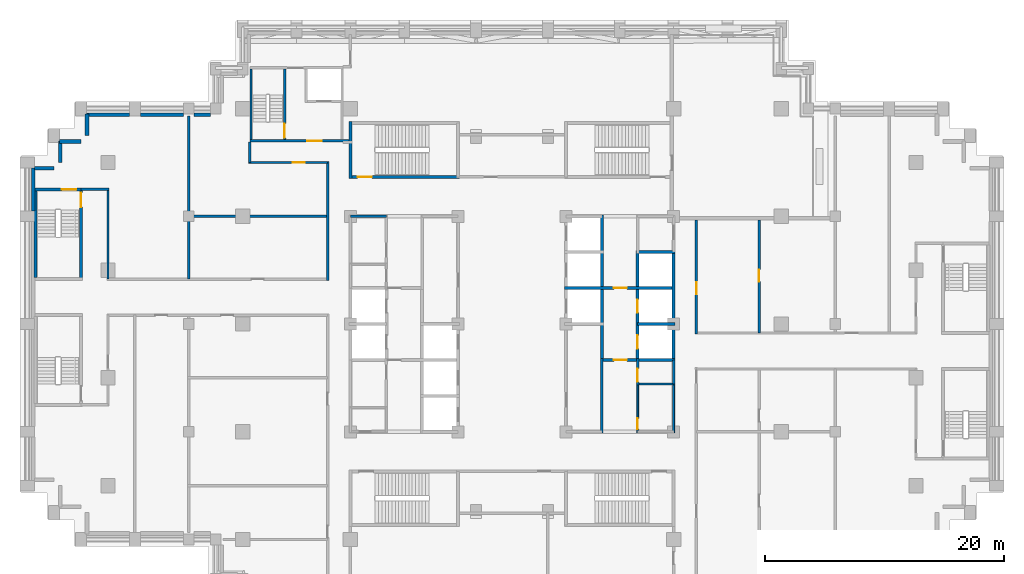
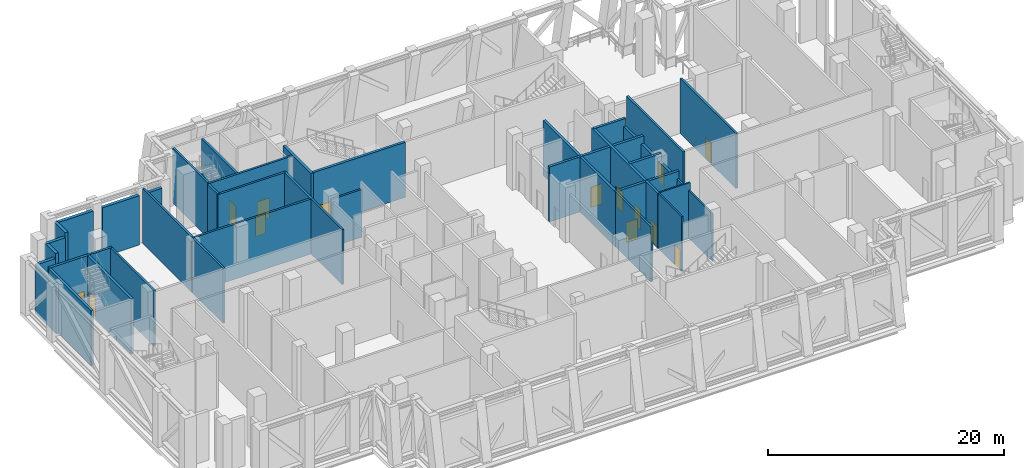
# One storey, part 7 of 14: 39 walls, 14 doors, 14 openings.
"""IFC4 building model written with IfcOpenShell, lengths in metres."""

from ifc_helpers import new_model, si_unit, direction, frame, frame_2d, origin, place, context, subcontext, project, spatial, rectangle, extrude, material, layer, layer_set, type_object, element, fill, save


model = new_model("IFC4")

# Units and contexts
model_context = context("Model", 3, precision=1e-05, world=origin(), true_north=direction((0.0, 1.0)))
body_context = subcontext(model_context, "Body", "Model", "MODEL_VIEW")
ifc_project = project(units=[si_unit("LENGTHUNIT", "METRE"), si_unit("AREAUNIT", "SQUARE_METRE"), si_unit("VOLUMEUNIT", "CUBIC_METRE"), si_unit("PLANEANGLEUNIT", "RADIAN"), si_unit("MASSUNIT", "GRAM", prefix="KILO")], contexts=[model_context])

# Site, building, storey
site_placement = place(None, origin())
site = spatial("IfcSite", under=ifc_project, at=site_placement, CompositionType="ELEMENT")
building_placement = place(site_placement, origin())
building = spatial("IfcBuilding", under=site, at=building_placement, Name="Corbelhall Arena Tower", CompositionType="ELEMENT")
storey_placement = place(building_placement, frame((0.0, 0.0, 120.0)))
storey = spatial("IfcBuildingStorey", under=building, at=storey_placement, Name="L22", CompositionType="ELEMENT", Elevation=120.0)

# Walls
ifc_material_1 = material(Name="Precast concrete C40/50 with granite facing", Category="masonry")
ifc_layer_1 = layer(ifc_material_1, 0.300048828125)
ifc_layer_set_1 = layer_set([ifc_layer_1], Name="EV-IW1 Infill panel 300")
wall_type_1 = type_object("IfcWallType", Name="EV-IW1 Infill panel 300", PredefinedType="SOLIDWALL", material=ifc_layer_set_1)
for number, where, z_axis, x_axis, name in (
    (1, (-35.5, 17.550048828125, 0.0), (0.0, 0.0, 1.0), (0.0, -1.0, 0.0), "Infill panel IW1"),
    (2, (-37.800048828125, 15.25, 0.0), (0.0, 0.0, 1.0), (1.0, 0.0, 0.0), "Infill panel IW1"),
    (3, (-37.75, 15.300048828125, 0.0), (0.0, 0.0, 1.0), (0.0, -1.0, 0.0), "Infill panel IW1"),
):
    element("IfcWall", number, at=place(storey_placement, frame(where, z_axis=z_axis, x_axis=x_axis)), inside=storey, type_object=wall_type_1, Name=name, PredefinedType="SOLIDWALL", context=body_context, shape_type="SweptSolid", body=[
        extrude(rectangle(XDim=1.800048828125, YDim=0.300048828125, at=frame_2d((0.89990234375, 0.0))), origin(), (0.0, 0.0, 1.0), 5.10009765625),
    ])
wall_1_placement = place(storey_placement, frame((-39.89990234375, 13.0, 0.0), z_axis=(0.0, 0.0, 1.0), x_axis=(1.0, 0.0, 0.0)))
element("IfcWall", 4, at=wall_1_placement, inside=storey, type_object=wall_type_1, Name="Infill panel IW1", PredefinedType="SOLIDWALL", context=body_context, shape_type="SweptSolid", body=[
    extrude(rectangle(XDim=1.64990234375, YDim=0.300048828125, at=frame_2d((0.824951171875, 0.0))), origin(), (0.0, 0.0, 1.0), 5.10009765625),
])
wall_2_placement = place(storey_placement, frame((-25.199951171875, 17.5, 0.0), z_axis=(0.0, 0.0, 1.0), x_axis=(-1.0, 0.0, 0.0)))
element("IfcWall", 5, at=wall_2_placement, inside=storey, type_object=wall_type_1, Name="Infill panel IW1", PredefinedType="SOLIDWALL", context=body_context, shape_type="SweptSolid", body=[
    extrude(rectangle(XDim=1.35009765625, YDim=0.300048828125, at=frame_2d((0.675048828125, 0.0))), origin(), (0.0, 0.0, 1.0), 5.10009765625),
])
for number, where, z_axis, x_axis, name in (
    (6, (-27.449951171875, 17.5, 0.0), (0.0, 0.0, 1.0), (-1.0, 0.0, 0.0), "Infill panel IW1"),
    (7, (-31.949951171875, 17.5, 0.0), (0.0, 0.0, 1.0), (-1.0, 0.0, 0.0), "Infill panel IW1"),
    (8, (-40.0, 13.050048828125, 0.0), (0.0, 0.0, 1.0), (0.0, -1.0, 0.0), "Infill panel IW1"),
):
    element("IfcWall", number, at=place(storey_placement, frame(where, z_axis=z_axis, x_axis=x_axis)), inside=storey, type_object=wall_type_1, Name=name, PredefinedType="SOLIDWALL", context=body_context, shape_type="SweptSolid", body=[
        extrude(rectangle(XDim=3.60009765625, YDim=0.300048828125, at=frame_2d((1.800048828125, 0.0))), origin(), (0.0, 0.0, 1.0), 5.10009765625),
    ])
ifc_material_2 = material(Name="Gypsum board on steel stud, acoustic", Category="steel")
ifc_layer_2 = layer(ifc_material_2, 0.199951171875)
ifc_layer_set_2 = layer_set([ifc_layer_2], Name="IN-W-DM200")
wall_type_2 = type_object("IfcWallType", Name="IN-W-DM200", PredefinedType="PARTITIONING", material=ifc_layer_set_2)
wall_3_placement = place(storey_placement, frame((-36.0, 11.25, 0.0), z_axis=(0.0, 0.0, 1.0), x_axis=(1.0, 0.0, 0.0)))
element("IfcWall", 9, at=wall_3_placement, inside=storey, type_object=wall_type_2, Name="Partition 001", PredefinedType="PARTITIONING", context=body_context, shape_type="SweptSolid", body=[
    extrude(rectangle(XDim=2.35009765625, YDim=0.199951171875, at=frame_2d((1.175048828125, 0.0))), origin(), (0.0, 0.0, 1.0), 5.699951171875),
])
wall_4_placement = place(storey_placement, frame((-33.75, 11.25, 0.0), z_axis=(0.0, 0.0, 1.0), x_axis=(0.0, -1.0, 0.0)))
element("IfcWall", 10, at=wall_4_placement, inside=storey, type_object=wall_type_2, Name="Partition 005", PredefinedType="PARTITIONING", context=body_context, shape_type="SweptSolid", body=[
    extrude(rectangle(XDim=7.5, YDim=0.199951171875, at=frame_2d((3.75, 0.0))), origin(), (0.0, 0.0, 1.0), 5.699951171875),
])
wall_5_placement = place(storey_placement, frame((-27.10009765625, 9.0, 0.0), z_axis=(0.0, 0.0, 1.0), x_axis=(1.0, 0.0, 0.0)))
element("IfcWall", 11, at=wall_5_placement, inside=storey, type_object=wall_type_2, Name="Partition 010", PredefinedType="PARTITIONING", context=body_context, shape_type="SweptSolid", body=[
    extrude(rectangle(XDim=11.7001953125, YDim=0.199951171875, at=frame_2d((5.85009765625, 0.0))), origin(), (0.0, 0.0, 1.0), 5.699951171875),
])
wall_6_placement = place(storey_placement, frame((-27.0, 3.75, 0.0), z_axis=(0.0, 0.0, 1.0), x_axis=(0.0, 1.0, 0.0)))
element("IfcWall", 12, at=wall_6_placement, inside=storey, type_object=wall_type_2, Name="Partition 012", PredefinedType="PARTITIONING", context=body_context, shape_type="SweptSolid", body=[
    extrude(rectangle(XDim=13.64990234375, YDim=0.199951171875, at=frame_2d((6.824951171875, 0.0))), origin(), (0.0, 0.0, 1.0), 5.699951171875),
])
wall_7_placement = place(storey_placement, frame((-21.89990234375, 13.5, 0.0), z_axis=(0.0, 0.0, 1.0), x_axis=(0.0, 1.0, 0.0)))
element("IfcWall", 13, at=wall_7_placement, inside=storey, type_object=wall_type_2, Name="Partition 014", PredefinedType="PARTITIONING", context=body_context, shape_type="SweptSolid", body=[
    extrude(rectangle(XDim=1.699951171875, YDim=0.199951171875, at=frame_2d((0.85009765625, 0.0))), origin(), (0.0, 0.0, 1.0), 5.699951171875),
])
wall_8_placement = place(storey_placement, frame((-15.39990234375, 3.64990234375, 0.0), z_axis=(0.0, 0.0, 1.0), x_axis=(0.0, 1.0, 0.0)))
element("IfcWall", 14, at=wall_8_placement, inside=storey, type_object=wall_type_2, Name="Partition 016", PredefinedType="PARTITIONING", context=body_context, shape_type="SweptSolid", body=[
    extrude(rectangle(XDim=9.9501953125, YDim=0.199951171875, at=frame_2d((4.97509765625, 0.0))), origin(), (0.0, 0.0, 1.0), 5.699951171875),
])

# Wall, opening, door
wall_9_placement = place(storey_placement, frame((-15.39990234375, 13.5, 0.0), z_axis=(0.0, 0.0, 1.0), x_axis=(-1.0, 0.0, 0.0)))
wall_9 = element("IfcWall", 15, at=wall_9_placement, inside=storey, type_object=wall_type_2, Name="Partition 017", PredefinedType="PARTITIONING", context=body_context, shape_type="SweptSolid", body=[
    extrude(rectangle(XDim=6.60009765625, YDim=0.199951171875, at=frame_2d((3.300048828125, 0.0))), origin(), (0.0, 0.0, 1.0), 5.699951171875),
])
opening_1_placement = place(wall_9_placement, frame((1.89990234375, 0.0, 0.0)))
opening_1 = element("IfcOpeningElement", 16, at=opening_1_placement, cuts=wall_9, Name="Opening 26028", PredefinedType="OPENING", context=body_context, shape_type="SweptSolid", body=[
    extrude(rectangle(XDim=1.0, YDim=2.10009765625, at=frame_2d((0.5, 1.050048828125))), frame((0.0, 0.10009765625, 0.0), z_axis=(0.0, -1.0, 0.0), x_axis=(1.0, 0.0, 0.0)), (0.0, 0.0, 1.0), 0.199951171875),
])
ifc_material_3 = material(Name="Steel door set", Category="steel")
door_type_1 = type_object("IfcDoorType", Name="IN-D-SW100", OperationType="NOTDEFINED", PredefinedType="DOOR", material=ifc_material_3)
door_1_placement = place(opening_1_placement, origin())
door_1 = element("IfcDoor", 17, at=door_1_placement, inside=storey, type_object=door_type_1, Name="Door 028", OperationType="SINGLE_SWING_LEFT", OverallHeight=2.10009765625, OverallWidth=1.0, PredefinedType="DOOR", context=body_context, shape_type="SweptSolid", body=[
    extrude(rectangle(XDim=1.0, YDim=2.10009765625, at=frame_2d((0.5, 1.050048828125))), frame((0.0, 0.02490234375, 0.0), z_axis=(0.0, -1.0, 0.0), x_axis=(1.0, 0.0, 0.0)), (0.0, 0.0, 1.0), 0.050048828125),
])
fill(opening_1, door_1)

wall_10_placement = place(storey_placement, frame((15.39990234375, 8.699951171875, 0.0), z_axis=(0.0, 0.0, 1.0), x_axis=(0.0, -1.0, 0.0)))
wall_10 = element("IfcWall", 18, at=wall_10_placement, inside=storey, type_object=wall_type_2, Name="Partition 031", PredefinedType="PARTITIONING", context=body_context, shape_type="SweptSolid", body=[
    extrude(rectangle(XDim=9.550048828125, YDim=0.199951171875, at=frame_2d((4.77490234375, 0.0))), origin(), (0.0, 0.0, 1.0), 5.699951171875),
])
opening_2_placement = place(wall_10_placement, frame((5.199951171875, 0.0, 0.0)))
opening_2 = element("IfcOpeningElement", 19, at=opening_2_placement, cuts=wall_10, Name="Opening 26033", PredefinedType="OPENING", context=body_context, shape_type="SweptSolid", body=[
    extrude(rectangle(XDim=1.0, YDim=2.10009765625, at=frame_2d((0.5, 1.050048828125))), frame((0.0, 0.10009765625, 0.0), z_axis=(0.0, -1.0, 0.0), x_axis=(1.0, 0.0, 0.0)), (0.0, 0.0, 1.0), 0.199951171875),
])
door_2_placement = place(opening_2_placement, origin())
door_2 = element("IfcDoor", 20, at=door_2_placement, inside=storey, type_object=door_type_1, Name="Door 033", OperationType="SINGLE_SWING_RIGHT", OverallHeight=2.10009765625, OverallWidth=1.0, PredefinedType="DOOR", context=body_context, shape_type="SweptSolid", body=[
    extrude(rectangle(XDim=1.0, YDim=2.10009765625, at=frame_2d((0.5, 1.050048828125))), frame((0.0, 0.02490234375, 0.0), z_axis=(0.0, -1.0, 0.0), x_axis=(1.0, 0.0, 0.0)), (0.0, 0.0, 1.0), 0.050048828125),
])
fill(opening_2, door_2)

wall_11_placement = place(storey_placement, frame((20.64990234375, 8.699951171875, 0.0), z_axis=(0.0, 0.0, 1.0), x_axis=(0.0, -1.0, 0.0)))
wall_11 = element("IfcWall", 21, at=wall_11_placement, inside=storey, type_object=wall_type_2, Name="Partition 033", PredefinedType="PARTITIONING", context=body_context, shape_type="SweptSolid", body=[
    extrude(rectangle(XDim=9.449951171875, YDim=0.199951171875, at=frame_2d((4.72509765625, 0.0))), origin(), (0.0, 0.0, 1.0), 5.699951171875),
])
opening_3_placement = place(wall_11_placement, frame((4.14990234375, 0.0, 0.0)))
opening_3 = element("IfcOpeningElement", 22, at=opening_3_placement, cuts=wall_11, Name="Opening 26034", PredefinedType="OPENING", context=body_context, shape_type="SweptSolid", body=[
    extrude(rectangle(XDim=1.0, YDim=2.10009765625, at=frame_2d((0.5, 1.050048828125))), frame((0.0, 0.10009765625, 0.0), z_axis=(0.0, -1.0, 0.0), x_axis=(1.0, 0.0, 0.0)), (0.0, 0.0, 1.0), 0.199951171875),
])
door_3_placement = place(opening_3_placement, origin())
door_3 = element("IfcDoor", 23, at=door_3_placement, inside=storey, type_object=door_type_1, Name="Door 034", OperationType="SINGLE_SWING_LEFT", OverallHeight=2.10009765625, OverallWidth=1.0, PredefinedType="DOOR", context=body_context, shape_type="SweptSolid", body=[
    extrude(rectangle(XDim=1.0, YDim=2.10009765625, at=frame_2d((0.5, 1.050048828125))), frame((0.0, 0.02490234375, 0.0), z_axis=(0.0, -1.0, 0.0), x_axis=(1.0, 0.0, 0.0)), (0.0, 0.0, 1.0), 0.050048828125),
])
fill(opening_3, door_3)

ifc_material_4 = material(Name="Concrete C40/50", Category="concrete")
ifc_layer_3 = layer(ifc_material_4, 0.199951171875)
ifc_layer_set_3 = layer_set([ifc_layer_3], Name="IN-W-EAR200")
wall_type_3 = type_object("IfcWallType", Name="IN-W-EAR200", PredefinedType="SOLIDWALL", material=ifc_layer_set_3)
wall_12_placement = place(storey_placement, frame((-21.89990234375, 15.300048828125, 0.0), z_axis=(0.0, 0.0, 1.0), x_axis=(1.0, 0.0, 0.0)))
wall_12 = element("IfcWall", 24, at=wall_12_placement, inside=storey, type_object=wall_type_3, Name="Fire service turret wall south", PredefinedType="SOLIDWALL", context=body_context, shape_type="SweptSolid", body=[
    extrude(rectangle(XDim=8.27490234375, YDim=0.199951171875, at=frame_2d((4.137451171875, 0.0))), origin(), (0.0, 0.0, 1.0), 5.699951171875),
])
opening_4_placement = place(wall_12_placement, frame((4.800048828125, 0.0, 0.0)))
opening_4 = element("IfcOpeningElement", 25, at=opening_4_placement, cuts=wall_12, Name="Opening E262", PredefinedType="OPENING", context=body_context, shape_type="SweptSolid", body=[
    extrude(rectangle(XDim=1.199951171875, YDim=2.10009765625, at=frame_2d((0.60009765625, 1.050048828125))), frame((0.0, 0.10009765625, 0.0), z_axis=(0.0, -1.0, 0.0), x_axis=(1.0, 0.0, 0.0)), (0.0, 0.0, 1.0), 0.199951171875),
])
door_type_2 = type_object("IfcDoorType", Name="IN-D-ST120", OperationType="NOTDEFINED", PredefinedType="DOOR", material=ifc_material_3)
door_4_placement = place(opening_4_placement, origin())
door_4 = element("IfcDoor", 26, at=door_4_placement, inside=storey, type_object=door_type_2, Name="Door from fire service lift lobby to circulation", OperationType="SINGLE_SWING_RIGHT", OverallHeight=2.10009765625, OverallWidth=1.199951171875, PredefinedType="DOOR", context=body_context, shape_type="SweptSolid", body=[
    extrude(rectangle(XDim=1.199951171875, YDim=2.10009765625, at=frame_2d((0.60009765625, 1.050048828125))), frame((0.0, 0.02490234375, 0.0), z_axis=(0.0, -1.0, 0.0), x_axis=(1.0, 0.0, 0.0)), (0.0, 0.0, 1.0), 0.050048828125),
])
fill(opening_4, door_4)

# Wall
wall_13_placement = place(storey_placement, frame((-21.800048828125, 15.39990234375, 0.0), z_axis=(0.0, 0.0, 1.0), x_axis=(0.0, 1.0, 0.0)))
element("IfcWall", 27, at=wall_13_placement, inside=storey, type_object=wall_type_3, Name="Fire service turret wall west", PredefinedType="SOLIDWALL", context=body_context, shape_type="SweptSolid", body=[
    extrude(rectangle(XDim=5.900146484375, YDim=0.199951171875, at=frame_2d((2.9501953125, 0.0))), origin(), (0.0, 0.0, 1.0), 5.699951171875),
])

# Wall, opening, door
wall_14_placement = place(storey_placement, frame((-18.989990234375, 15.39990234375, 0.0), z_axis=(0.0, 0.0, 1.0), x_axis=(0.0, 1.0, 0.0)))
wall_14 = element("IfcWall", 28, at=wall_14_placement, inside=storey, type_object=wall_type_3, Name="Fire service turret wall stair", PredefinedType="SOLIDWALL", context=body_context, shape_type="SweptSolid", body=[
    extrude(rectangle(XDim=5.900146484375, YDim=0.199951171875, at=frame_2d((2.9501953125, 0.0))), origin(), (0.0, 0.0, 1.0), 5.699951171875),
])
opening_5_placement = place(wall_14_placement, frame((0.14990234375, 0.0, 0.0)))
opening_5 = element("IfcOpeningElement", 29, at=opening_5_placement, cuts=wall_14, Name="Opening E261", PredefinedType="OPENING", context=body_context, shape_type="SweptSolid", body=[
    extrude(rectangle(XDim=1.199951171875, YDim=2.10009765625, at=frame_2d((0.60009765625, 1.050048828125))), frame((0.0, 0.10009765625, 0.0), z_axis=(0.0, -1.0, 0.0), x_axis=(1.0, 0.0, 0.0)), (0.0, 0.0, 1.0), 0.199951171875),
])
door_5_placement = place(opening_5_placement, origin())
door_5 = element("IfcDoor", 30, at=door_5_placement, inside=storey, type_object=door_type_2, Name="Stair door to fire service lobby", OperationType="SINGLE_SWING_LEFT", OverallHeight=2.10009765625, OverallWidth=1.199951171875, PredefinedType="DOOR", context=body_context, shape_type="SweptSolid", body=[
    extrude(rectangle(XDim=1.199951171875, YDim=2.10009765625, at=frame_2d((0.60009765625, 1.050048828125))), frame((0.0, 0.02490234375, 0.0), z_axis=(0.0, -1.0, 0.0), x_axis=(1.0, 0.0, 0.0)), (0.0, 0.0, 1.0), 0.050048828125),
])
fill(opening_5, door_5)

# Wall
ifc_material_5 = material(Name="Concrete block wall", Category="concrete")
ifc_layer_4 = layer(ifc_material_5, 0.199951171875)
ifc_layer_set_4 = layer_set([ifc_layer_4], Name="IN-W-RS200")
wall_type_4 = type_object("IfcWallType", Name="IN-W-RS200", PredefinedType="SOLIDWALL", material=ifc_layer_set_4)
wall_15_placement = place(storey_placement, frame((7.5, -2.875, 0.0), z_axis=(0.0, 0.0, 1.0), x_axis=(0.0, -1.0, 0.0)))
element("IfcWall", 31, at=wall_15_placement, inside=storey, type_object=wall_type_4, Name="Partition 052", PredefinedType="SOLIDWALL", context=body_context, shape_type="SweptSolid", body=[
    extrude(rectangle(XDim=6.22509765625, YDim=0.199951171875, at=frame_2d((3.112548828125, 0.0))), origin(), (0.0, 0.0, 1.0), 5.699951171875),
])

# Wall, opening, door
wall_16_placement = place(storey_placement, frame((10.5, -2.875, 0.0), z_axis=(0.0, 0.0, 1.0), x_axis=(0.0, -1.0, 0.0)))
wall_16 = element("IfcWall", 32, at=wall_16_placement, inside=storey, type_object=wall_type_4, Name="Partition 053", PredefinedType="SOLIDWALL", context=body_context, shape_type="SweptSolid", body=[
    extrude(rectangle(XDim=2.199951171875, YDim=0.199951171875, at=frame_2d((1.10009765625, 0.0))), origin(), (0.0, 0.0, 1.0), 5.699951171875),
])
opening_6_placement = place(wall_16_placement, frame((0.85009765625, 0.0, 0.0)))
opening_6 = element("IfcOpeningElement", 33, at=opening_6_placement, cuts=wall_16, Name="Opening 26012", PredefinedType="OPENING", context=body_context, shape_type="SweptSolid", body=[
    extrude(rectangle(XDim=1.10009765625, YDim=2.10009765625, at=frame_2d((0.550048828125, 1.050048828125))), frame((0.0, 0.10009765625, 0.0), z_axis=(0.0, -1.0, 0.0), x_axis=(1.0, 0.0, 0.0)), (0.0, 0.0, 1.0), 0.199951171875),
])
door_type_3 = type_object("IfcDoorType", Name="IN-D-FD110", OperationType="NOTDEFINED", PredefinedType="DOOR", material=ifc_material_3)
door_6_placement = place(opening_6_placement, origin())
door_6 = element("IfcDoor", 34, at=door_6_placement, inside=storey, type_object=door_type_3, Name="Door 012", OperationType="SINGLE_SWING_LEFT", OverallHeight=2.10009765625, OverallWidth=1.10009765625, PredefinedType="DOOR", context=body_context, shape_type="SweptSolid", body=[
    extrude(rectangle(XDim=1.10009765625, YDim=2.10009765625, at=frame_2d((0.550048828125, 1.050048828125))), frame((0.0, 0.02490234375, 0.0), z_axis=(0.0, -1.0, 0.0), x_axis=(1.0, 0.0, 0.0)), (0.0, 0.0, 1.0), 0.050048828125),
])
fill(opening_6, door_6)

# Walls
ifc_layer_5 = layer(ifc_material_5, 0.199951171875)
ifc_layer_set_5 = layer_set([ifc_layer_5], Name="IN-W-RS200 under beam 762 mm")
wall_type_5 = type_object("IfcWallType", Name="IN-W-RS200 under beam 762 mm", PredefinedType="SOLIDWALL", material=ifc_layer_set_5)
wall_17_placement = place(storey_placement, frame((-13.5, 9.0, 0.0), z_axis=(0.0, 0.0, 1.0), x_axis=(1.0, 0.0, 0.0)))
element("IfcWall", 35, at=wall_17_placement, inside=storey, type_object=wall_type_5, Name="Partition 044", PredefinedType="SOLIDWALL", context=body_context, shape_type="SweptSolid", body=[
    extrude(rectangle(XDim=3.0, YDim=0.199951171875, at=frame_2d((1.5, 0.0))), origin(), (0.0, 0.0, 1.0), 4.93798828125),
])
wall_18_placement = place(storey_placement, frame((13.5, -3.0, 0.0), z_axis=(0.0, 0.0, 1.0), x_axis=(0.0, -1.0, 0.0)))
element("IfcWall", 36, at=wall_18_placement, inside=storey, type_object=wall_type_5, Name="Partition 056", PredefinedType="SOLIDWALL", context=body_context, shape_type="SweptSolid", body=[
    extrude(rectangle(XDim=2.0, YDim=0.199951171875, at=frame_2d((1.0, 0.0))), origin(), (0.0, 0.0, 1.0), 4.93798828125),
])

# Wall, opening, door
ifc_layer_6 = layer(ifc_material_4, 0.25)
ifc_layer_set_6 = layer_set([ifc_layer_6], Name="IN-W-SH250")
wall_type_6 = type_object("IfcWallType", Name="IN-W-SH250", PredefinedType="SOLIDWALL", material=ifc_layer_set_6)
wall_19_placement = place(storey_placement, frame((4.375, 3.0, 0.0), z_axis=(0.0, 0.0, 1.0), x_axis=(1.0, 0.0, 0.0)))
wall_19 = element("IfcWall", 37, at=wall_19_placement, inside=storey, type_object=wall_type_6, Name="Shaft wall 069", PredefinedType="SOLIDWALL", context=body_context, shape_type="SweptSolid", body=[
    extrude(rectangle(XDim=9.25, YDim=0.25, at=frame_2d((4.625, 0.0))), origin(), (0.0, 0.0, 1.0), 5.699951171875),
])
opening_7_placement = place(wall_19_placement, frame((4.125, 0.0, 0.0)))
opening_7 = element("IfcOpeningElement", 38, at=opening_7_placement, cuts=wall_19, Name="Opening 26010", PredefinedType="OPENING", context=body_context, shape_type="SweptSolid", body=[
    extrude(rectangle(XDim=1.10009765625, YDim=2.10009765625, at=frame_2d((0.550048828125, 1.050048828125))), frame((0.0, 0.125, 0.0), z_axis=(0.0, -1.0, 0.0), x_axis=(1.0, 0.0, 0.0)), (0.0, 0.0, 1.0), 0.25),
])
door_7_placement = place(opening_7_placement, origin())
door_7 = element("IfcDoor", 39, at=door_7_placement, inside=storey, type_object=door_type_3, Name="Door 010", OperationType="SINGLE_SWING_LEFT", OverallHeight=2.10009765625, OverallWidth=1.10009765625, PredefinedType="DOOR", context=body_context, shape_type="SweptSolid", body=[
    extrude(rectangle(XDim=1.10009765625, YDim=2.10009765625, at=frame_2d((0.550048828125, 1.050048828125))), frame((0.0, 0.02490234375, 0.0), z_axis=(0.0, -1.0, 0.0), x_axis=(1.0, 0.0, 0.0)), (0.0, 0.0, 1.0), 0.050048828125),
])
fill(opening_7, door_7)

wall_20_placement = place(storey_placement, frame((7.5, -3.0, 0.0), z_axis=(0.0, 0.0, 1.0), x_axis=(1.0, 0.0, 0.0)))
wall_20 = element("IfcWall", 40, at=wall_20_placement, inside=storey, type_object=wall_type_6, Name="Shaft wall 073", PredefinedType="SOLIDWALL", context=body_context, shape_type="SweptSolid", body=[
    extrude(rectangle(XDim=6.125, YDim=0.25, at=frame_2d((3.0625, 0.0))), origin(), (0.0, 0.0, 1.0), 5.699951171875),
])
opening_8_placement = place(wall_20_placement, frame((1.0, 0.0, 0.0)))
opening_8 = element("IfcOpeningElement", 41, at=opening_8_placement, cuts=wall_20, Name="Opening 26009", PredefinedType="OPENING", context=body_context, shape_type="SweptSolid", body=[
    extrude(rectangle(XDim=1.10009765625, YDim=2.10009765625, at=frame_2d((0.550048828125, 1.050048828125))), frame((0.0, 0.125, 0.0), z_axis=(0.0, -1.0, 0.0), x_axis=(1.0, 0.0, 0.0)), (0.0, 0.0, 1.0), 0.25),
])
door_8_placement = place(opening_8_placement, origin())
door_8 = element("IfcDoor", 42, at=door_8_placement, inside=storey, type_object=door_type_3, Name="Door 009", OperationType="SINGLE_SWING_RIGHT", OverallHeight=2.10009765625, OverallWidth=1.10009765625, PredefinedType="DOOR", context=body_context, shape_type="SweptSolid", body=[
    extrude(rectangle(XDim=1.10009765625, YDim=2.10009765625, at=frame_2d((0.550048828125, 1.050048828125))), frame((0.0, 0.02490234375, 0.0), z_axis=(0.0, -1.0, 0.0), x_axis=(1.0, 0.0, 0.0)), (0.0, 0.0, 1.0), 0.050048828125),
])
fill(opening_8, door_8)

# Walls
wall_21_placement = place(storey_placement, frame((7.5, 9.125, 0.0), z_axis=(0.0, 0.0, 1.0), x_axis=(0.0, -1.0, 0.0)))
element("IfcWall", 43, at=wall_21_placement, inside=storey, type_object=wall_type_6, Name="Shaft wall 074", PredefinedType="SOLIDWALL", context=body_context, shape_type="SweptSolid", body=[
    extrude(rectangle(XDim=12.25, YDim=0.25, at=frame_2d((6.125, 0.0))), origin(), (0.0, 0.0, 1.0), 5.699951171875),
])
wall_22_placement = place(storey_placement, frame((10.5, 0.0, 0.0), z_axis=(0.0, 0.0, 1.0), x_axis=(1.0, 0.0, 0.0)))
element("IfcWall", 44, at=wall_22_placement, inside=storey, type_object=wall_type_6, Name="Shaft wall 075", PredefinedType="SOLIDWALL", context=body_context, shape_type="SweptSolid", body=[
    extrude(rectangle(XDim=3.125, YDim=0.25, at=frame_2d((1.5625, 0.0))), origin(), (0.0, 0.0, 1.0), 5.699951171875),
])

# Wall, openings, doors
wall_23_placement = place(storey_placement, frame((10.5, 6.125, 0.0), z_axis=(0.0, 0.0, 1.0), x_axis=(0.0, -1.0, 0.0)))
wall_23 = element("IfcWall", 45, at=wall_23_placement, inside=storey, type_object=wall_type_6, Name="Shaft wall 076", PredefinedType="SOLIDWALL", context=body_context, shape_type="SweptSolid", body=[
    extrude(rectangle(XDim=9.25, YDim=0.25, at=frame_2d((4.625, 0.0))), origin(), (0.0, 0.0, 1.0), 5.699951171875),
])
opening_9_placement = place(wall_23_placement, frame((7.074951171875, 0.0, 0.0)))
opening_9 = element("IfcOpeningElement", 46, at=opening_9_placement, cuts=wall_23, Name="Opening LD", PredefinedType="OPENING", context=body_context, shape_type="SweptSolid", body=[
    extrude(rectangle(XDim=1.10009765625, YDim=2.10009765625, at=frame_2d((0.550048828125, 1.050048828125))), frame((0.0, 0.125, 0.0), z_axis=(0.0, -1.0, 0.0), x_axis=(1.0, 0.0, 0.0)), (0.0, 0.0, 1.0), 0.25),
])
opening_10_placement = place(wall_23_placement, frame((4.074951171875, 0.0, 0.0)))
opening_10 = element("IfcOpeningElement", 47, at=opening_10_placement, cuts=wall_23, Name="Opening LD", PredefinedType="OPENING", context=body_context, shape_type="SweptSolid", body=[
    extrude(rectangle(XDim=1.10009765625, YDim=2.10009765625, at=frame_2d((0.550048828125, 1.050048828125))), frame((0.0, 0.125, 0.0), z_axis=(0.0, -1.0, 0.0), x_axis=(1.0, 0.0, 0.0)), (0.0, 0.0, 1.0), 0.25),
])
door_type_4 = type_object("IfcDoorType", Name="IN-D-LD110", OperationType="NOTDEFINED", PredefinedType="DOOR", material=ifc_material_3)
door_9_placement = place(opening_9_placement, origin())
door_9 = element("IfcDoor", 48, at=door_9_placement, inside=storey, type_object=door_type_4, Name="Landing door E3", OperationType="SLIDING_TO_LEFT", OverallHeight=2.10009765625, OverallWidth=1.10009765625, PredefinedType="DOOR", context=body_context, shape_type="SweptSolid", body=[
    extrude(rectangle(XDim=1.10009765625, YDim=2.10009765625, at=frame_2d((0.550048828125, 1.050048828125))), frame((0.0, 0.02490234375, 0.0), z_axis=(0.0, -1.0, 0.0), x_axis=(1.0, 0.0, 0.0)), (0.0, 0.0, 1.0), 0.050048828125),
])
fill(opening_9, door_9)
door_10_placement = place(opening_10_placement, origin())
door_10 = element("IfcDoor", 49, at=door_10_placement, inside=storey, type_object=door_type_4, Name="Landing door E4", OperationType="SLIDING_TO_LEFT", OverallHeight=2.10009765625, OverallWidth=1.10009765625, PredefinedType="DOOR", context=body_context, shape_type="SweptSolid", body=[
    extrude(rectangle(XDim=1.10009765625, YDim=2.10009765625, at=frame_2d((0.550048828125, 1.050048828125))), frame((0.0, 0.02490234375, 0.0), z_axis=(0.0, -1.0, 0.0), x_axis=(1.0, 0.0, 0.0)), (0.0, 0.0, 1.0), 0.050048828125),
])
fill(opening_10, door_10)

# Walls
wall_24_placement = place(storey_placement, frame((10.5, 6.0, 0.0), z_axis=(0.0, 0.0, 1.0), x_axis=(1.0, 0.0, 0.0)))
element("IfcWall", 50, at=wall_24_placement, inside=storey, type_object=wall_type_6, Name="Shaft wall 077", PredefinedType="SOLIDWALL", context=body_context, shape_type="SweptSolid", body=[
    extrude(rectangle(XDim=3.125, YDim=0.25, at=frame_2d((1.5625, 0.0))), origin(), (0.0, 0.0, 1.0), 5.699951171875),
])
ifc_layer_7 = layer(ifc_material_4, 0.25)
ifc_layer_set_7 = layer_set([ifc_layer_7], Name="IN-W-SH250 under beam 762 mm")
wall_type_7 = type_object("IfcWallType", Name="IN-W-SH250 under beam 762 mm", PredefinedType="SOLIDWALL", material=ifc_layer_set_7)
wall_25_placement = place(storey_placement, frame((13.5, 6.0, 0.0), z_axis=(0.0, 0.0, 1.0), x_axis=(0.0, -1.0, 0.0)))
element("IfcWall", 51, at=wall_25_placement, inside=storey, type_object=wall_type_7, Name="Shaft wall 078", PredefinedType="SOLIDWALL", context=body_context, shape_type="SweptSolid", body=[
    extrude(rectangle(XDim=9.0, YDim=0.25, at=frame_2d((4.5, 0.0))), origin(), (0.0, 0.0, 1.0), 4.93798828125),
])

# Wall, opening, door
ifc_layer_8 = layer(ifc_material_4, 0.25)
ifc_layer_set_8 = layer_set([ifc_layer_8], Name="IN-W-ST250")
wall_type_8 = type_object("IfcWallType", Name="IN-W-ST250", PredefinedType="SOLIDWALL", material=ifc_layer_set_8)
wall_26_placement = place(storey_placement, frame((-39.85009765625, 11.25, 0.0), z_axis=(0.0, 0.0, 1.0), x_axis=(1.0, 0.0, 0.0)))
wall_26 = element("IfcWall", 52, at=wall_26_placement, inside=storey, type_object=wall_type_8, Name="Shaft wall 080", PredefinedType="SOLIDWALL", context=body_context, shape_type="SweptSolid", body=[
    extrude(rectangle(XDim=3.85009765625, YDim=0.25, at=frame_2d((1.925048828125, 0.0))), origin(), (0.0, 0.0, 1.0), 5.699951171875),
])
opening_11_placement = place(wall_26_placement, frame((2.25, 0.0, 0.0)))
opening_11 = element("IfcOpeningElement", 53, at=opening_11_placement, cuts=wall_26, Name="Opening 26039", PredefinedType="OPENING", context=body_context, shape_type="SweptSolid", body=[
    extrude(rectangle(XDim=1.199951171875, YDim=2.10009765625, at=frame_2d((0.60009765625, 1.050048828125))), frame((0.0, 0.125, 0.0), z_axis=(0.0, -1.0, 0.0), x_axis=(1.0, 0.0, 0.0)), (0.0, 0.0, 1.0), 0.25),
])
door_11_placement = place(opening_11_placement, origin())
door_11 = element("IfcDoor", 54, at=door_11_placement, inside=storey, type_object=door_type_2, Name="Door 039", OperationType="SINGLE_SWING_RIGHT", OverallHeight=2.10009765625, OverallWidth=1.199951171875, PredefinedType="DOOR", context=body_context, shape_type="SweptSolid", body=[
    extrude(rectangle(XDim=1.199951171875, YDim=2.10009765625, at=frame_2d((0.60009765625, 1.050048828125))), frame((0.0, 0.02490234375, 0.0), z_axis=(0.0, -1.0, 0.0), x_axis=(1.0, 0.0, 0.0)), (0.0, 0.0, 1.0), 0.050048828125),
])
fill(opening_11, door_11)

wall_27_placement = place(storey_placement, frame((-36.0, 11.375, 0.0), z_axis=(0.0, 0.0, 1.0), x_axis=(0.0, -1.0, 0.0)))
wall_27 = element("IfcWall", 55, at=wall_27_placement, inside=storey, type_object=wall_type_8, Name="Shaft wall 083", PredefinedType="SOLIDWALL", context=body_context, shape_type="SweptSolid", body=[
    extrude(rectangle(XDim=7.625, YDim=0.25, at=frame_2d((3.8125, 0.0))), origin(), (0.0, 0.0, 1.0), 5.699951171875),
])
opening_12_placement = place(wall_27_placement, frame((0.39990234375, 0.0, 0.0)))
opening_12 = element("IfcOpeningElement", 56, at=opening_12_placement, cuts=wall_27, Name="Opening 26018", PredefinedType="OPENING", context=body_context, shape_type="SweptSolid", body=[
    extrude(rectangle(XDim=1.199951171875, YDim=2.10009765625, at=frame_2d((0.60009765625, 1.050048828125))), frame((0.0, 0.125, 0.0), z_axis=(0.0, -1.0, 0.0), x_axis=(1.0, 0.0, 0.0)), (0.0, 0.0, 1.0), 0.25),
])
door_12_placement = place(opening_12_placement, origin())
door_12 = element("IfcDoor", 57, at=door_12_placement, inside=storey, type_object=door_type_2, Name="Door 018", OperationType="SINGLE_SWING_LEFT", OverallHeight=2.10009765625, OverallWidth=1.199951171875, PredefinedType="DOOR", context=body_context, shape_type="SweptSolid", body=[
    extrude(rectangle(XDim=1.199951171875, YDim=2.10009765625, at=frame_2d((0.60009765625, 1.050048828125))), frame((0.0, 0.02490234375, 0.0), z_axis=(0.0, -1.0, 0.0), x_axis=(1.0, 0.0, 0.0)), (0.0, 0.0, 1.0), 0.050048828125),
])
fill(opening_12, door_12)

wall_28_placement = place(storey_placement, frame((-13.5, 12.300048828125, 0.0), z_axis=(0.0, 0.0, 1.0), x_axis=(1.0, 0.0, 0.0)))
wall_28 = element("IfcWall", 58, at=wall_28_placement, inside=storey, type_object=wall_type_8, Name="Shaft wall 086", PredefinedType="SOLIDWALL", context=body_context, shape_type="SweptSolid", body=[
    extrude(rectangle(XDim=9.125, YDim=0.25, at=frame_2d((4.5625, 0.0))), origin(), (0.0, 0.0, 1.0), 5.699951171875),
])
opening_13_placement = place(wall_28_placement, frame((0.60009765625, 0.0, 0.0)))
opening_13 = element("IfcOpeningElement", 59, at=opening_13_placement, cuts=wall_28, Name="Opening 26014", PredefinedType="OPENING", context=body_context, shape_type="SweptSolid", body=[
    extrude(rectangle(XDim=1.199951171875, YDim=2.10009765625, at=frame_2d((0.60009765625, 1.050048828125))), frame((0.0, 0.125, 0.0), z_axis=(0.0, -1.0, 0.0), x_axis=(1.0, 0.0, 0.0)), (0.0, 0.0, 1.0), 0.25),
])
door_13_placement = place(opening_13_placement, origin())
door_13 = element("IfcDoor", 60, at=door_13_placement, inside=storey, type_object=door_type_2, Name="Door 014", OperationType="SINGLE_SWING_LEFT", OverallHeight=2.10009765625, OverallWidth=1.199951171875, PredefinedType="DOOR", context=body_context, shape_type="SweptSolid", body=[
    extrude(rectangle(XDim=1.199951171875, YDim=2.10009765625, at=frame_2d((0.60009765625, 1.050048828125))), frame((0.0, 0.02490234375, 0.0), z_axis=(0.0, -1.0, 0.0), x_axis=(1.0, 0.0, 0.0)), (0.0, 0.0, 1.0), 0.050048828125),
])
fill(opening_13, door_13)

# Walls
wall_29_placement = place(storey_placement, frame((-13.5, 12.175048828125, 0.0), z_axis=(0.0, 0.0, 1.0), x_axis=(0.0, 1.0, 0.0)))
element("IfcWall", 61, at=wall_29_placement, inside=storey, type_object=wall_type_8, Name="Shaft wall 087", PredefinedType="SOLIDWALL", context=body_context, shape_type="SweptSolid", body=[
    extrude(rectangle(XDim=4.75, YDim=0.25, at=frame_2d((2.375, 0.0))), origin(), (0.0, 0.0, 1.0), 5.699951171875),
])
wall_30_placement = place(storey_placement, frame((-39.824951171875, 3.875, 0.0), z_axis=(0.0, 0.0, 1.0), x_axis=(0.0, 1.0, 0.0)))
element("IfcWall", 62, at=wall_30_placement, inside=storey, type_object=wall_type_8, Name="Shaft wall SC1 facade side", PredefinedType="SOLIDWALL", context=body_context, shape_type="SweptSolid", body=[
    extrude(rectangle(XDim=7.25, YDim=0.25, at=frame_2d((3.625, 0.0))), origin(), (0.0, 0.0, 1.0), 5.699951171875),
])
ifc_material_6 = material(Name="Gypsum board on steel stud, moisture resistant", Category="steel")
ifc_layer_9 = layer(ifc_material_6, 0.14990234375)
ifc_layer_set_9 = layer_set([ifc_layer_9], Name="IN-W-WC150")
wall_type_9 = type_object("IfcWallType", Name="IN-W-WC150", PredefinedType="PARTITIONING", material=ifc_layer_set_9)
wall_31_placement = place(storey_placement, frame((10.5, -5.0, 0.0), z_axis=(0.0, 0.0, 1.0), x_axis=(1.0, 0.0, 0.0)))
element("IfcWall", 63, at=wall_31_placement, inside=storey, type_object=wall_type_9, Name="Partition 113", PredefinedType="PARTITIONING", context=body_context, shape_type="SweptSolid", body=[
    extrude(rectangle(XDim=3.10009765625, YDim=0.14990234375, at=frame_2d((1.550048828125, 0.0))), origin(), (0.0, 0.0, 1.0), 5.699951171875),
])

# Wall, opening, door
wall_32_placement = place(storey_placement, frame((10.5, -4.925048828125, 0.0), z_axis=(0.0, 0.0, 1.0), x_axis=(0.0, -1.0, 0.0)))
wall_32 = element("IfcWall", 64, at=wall_32_placement, inside=storey, type_object=wall_type_9, Name="Partition 114", PredefinedType="PARTITIONING", context=body_context, shape_type="SweptSolid", body=[
    extrude(rectangle(XDim=4.14990234375, YDim=0.14990234375, at=frame_2d((2.074951171875, 0.0))), origin(), (0.0, 0.0, 1.0), 5.699951171875),
])
opening_14_placement = place(wall_32_placement, frame((2.949951171875, 0.0, 0.0)))
opening_14 = element("IfcOpeningElement", 65, at=opening_14_placement, cuts=wall_32, Name="Opening 26011", PredefinedType="OPENING", context=body_context, shape_type="SweptSolid", body=[
    extrude(rectangle(XDim=0.89990234375, YDim=2.10009765625, at=frame_2d((0.449951171875, 1.050048828125))), frame((0.0, 0.074951171875, 0.0), z_axis=(0.0, -1.0, 0.0), x_axis=(1.0, 0.0, 0.0)), (0.0, 0.0, 1.0), 0.14990234375),
])
ifc_material_7 = material(Name="Timber door set", Category="wood")
door_type_5 = type_object("IfcDoorType", Name="IN-D-SW90", OperationType="NOTDEFINED", PredefinedType="DOOR", material=ifc_material_7)
door_14_placement = place(opening_14_placement, origin())
door_14 = element("IfcDoor", 66, at=door_14_placement, inside=storey, type_object=door_type_5, Name="Door 011", OperationType="SINGLE_SWING_RIGHT", OverallHeight=2.10009765625, OverallWidth=0.89990234375, PredefinedType="DOOR", context=body_context, shape_type="SweptSolid", body=[
    extrude(rectangle(XDim=0.89990234375, YDim=2.10009765625, at=frame_2d((0.449951171875, 1.050048828125))), frame((0.0, 0.02490234375, 0.0), z_axis=(0.0, -1.0, 0.0), x_axis=(1.0, 0.0, 0.0)), (0.0, 0.0, 1.0), 0.050048828125),
])
fill(opening_14, door_14)

# Wall
ifc_layer_10 = layer(ifc_material_6, 0.14990234375)
ifc_layer_set_10 = layer_set([ifc_layer_10], Name="IN-W-WC150 under beam 762 mm")
wall_type_10 = type_object("IfcWallType", Name="IN-W-WC150 under beam 762 mm", PredefinedType="PARTITIONING", material=ifc_layer_set_10)
wall_33_placement = place(storey_placement, frame((13.5, -5.0, 0.0), z_axis=(0.0, 0.0, 1.0), x_axis=(0.0, -1.0, 0.0)))
element("IfcWall", 67, at=wall_33_placement, inside=storey, type_object=wall_type_10, Name="Partition 116", PredefinedType="PARTITIONING", context=body_context, shape_type="SweptSolid", body=[
    extrude(rectangle(XDim=4.074951171875, YDim=0.14990234375, at=frame_2d((2.03759765625, 0.0))), origin(), (0.0, 0.0, 1.0), 4.93798828125),
])

save(model, "model.ifc")
